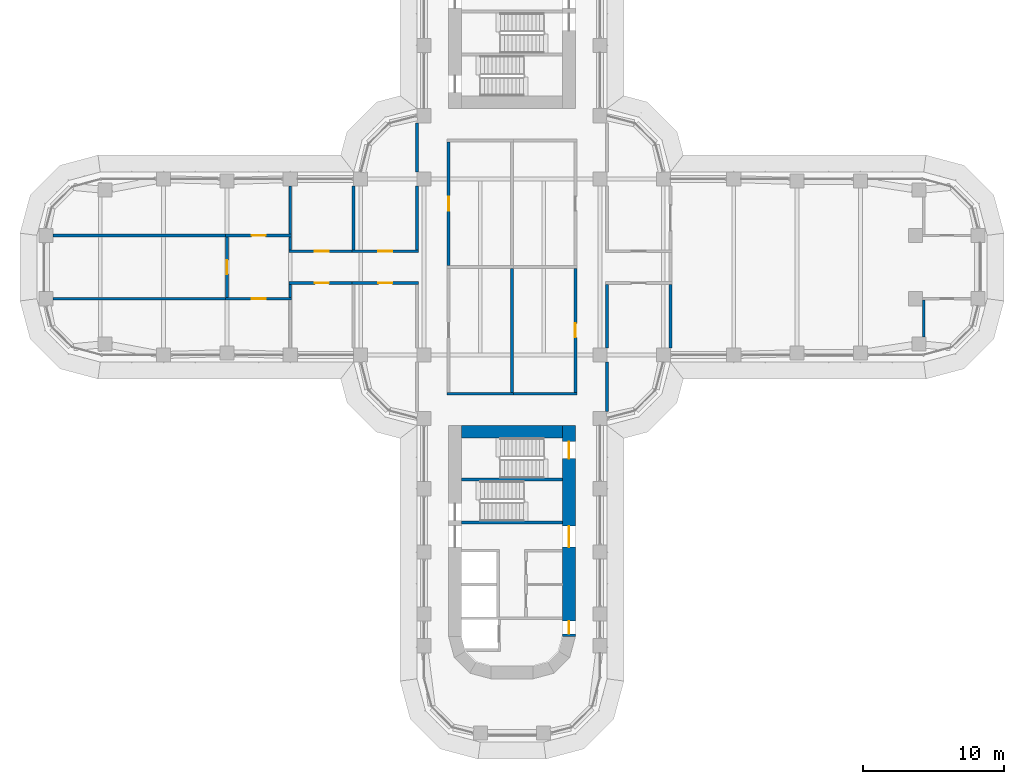
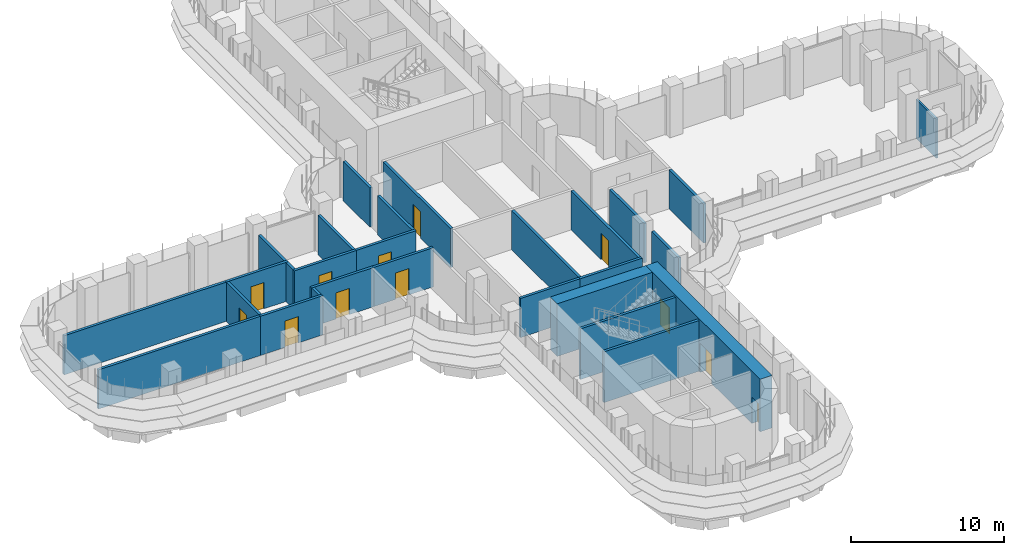
# One storey, part 17 of 23: 28 walls, 12 doors, 12 openings.
"""IFC4 building model written with IfcOpenShell, lengths in metres."""

from ifc_helpers import new_model, si_unit, direction, frame, frame_2d, origin, place, context, subcontext, project, spatial, rectangle, extrude, material, layer, layer_set, type_object, element, fill, save


model = new_model("IFC4")

# Units and contexts
model_context = context("Model", 3, precision=1e-05, world=origin(), true_north=direction((0.0, 1.0)))
body_context = subcontext(model_context, "Body", "Model", "MODEL_VIEW")
ifc_project = project(units=[si_unit("LENGTHUNIT", "METRE"), si_unit("AREAUNIT", "SQUARE_METRE"), si_unit("VOLUMEUNIT", "CUBIC_METRE"), si_unit("PLANEANGLEUNIT", "RADIAN"), si_unit("MASSUNIT", "GRAM", prefix="KILO")], contexts=[model_context])

# Site, building, storey
site_placement = place(None, origin())
site = spatial("IfcSite", under=ifc_project, at=site_placement, CompositionType="ELEMENT")
building_placement = place(site_placement, origin())
building = spatial("IfcBuilding", under=site, at=building_placement, Name="Zarbagh Exchange Tower", CompositionType="ELEMENT")
storey_placement = place(building_placement, frame((0.0, 0.0, 64.800048828125)))
storey = spatial("IfcBuildingStorey", under=building, at=storey_placement, Name="L14", CompositionType="ELEMENT", Elevation=64.800048828125)

# Wall
ifc_material_1 = material(Name="Plasterboard partition")
ifc_layer_1 = layer(ifc_material_1, 0.14990234375)
ifc_layer_set_1 = layer_set([ifc_layer_1], Name="PARTITION 150")
wall_type_1 = type_object("IfcWallType", Name="PARTITION 150", PredefinedType="PARTITIONING", material=ifc_layer_set_1)
wall_1_placement = place(storey_placement, frame((29.25, -4.97509765625, 0.0), z_axis=(0.0, 0.0, 1.0), x_axis=(0.0, 1.0, 0.0)))
element("IfcWall", 1, at=wall_1_placement, inside=storey, type_object=wall_type_1, Name="Partition W-429", PredefinedType="PARTITIONING", context=body_context, shape_type="SweptSolid", body=[
    extrude(rectangle(XDim=2.650146484375, YDim=0.14990234375, at=frame_2d((1.3251953125, 0.0))), origin(), (0.0, 0.0, 1.0), 3.13037109375),
])

# Wall, opening, door
ifc_material_2 = material(Name="Fire-rated plasterboard partition")
ifc_layer_2 = layer(ifc_material_2, 0.199951171875)
ifc_layer_set_2 = layer_set([ifc_layer_2], Name="RATED PARTITION 200")
wall_type_2 = type_object("IfcWallType", Name="RATED PARTITION 200", PredefinedType="PARTITIONING", material=ifc_layer_set_2)
wall_2_placement = place(storey_placement, frame((-4.5, 8.89990234375, 0.0), z_axis=(0.0, 0.0, 1.0), x_axis=(0.0, -1.0, 0.0)))
wall_2 = element("IfcWall", 2, at=wall_2_placement, inside=storey, type_object=wall_type_2, Name="Partition W-401", PredefinedType="PARTITIONING", context=body_context, shape_type="SweptSolid", body=[
    extrude(rectangle(XDim=8.7998046875, YDim=0.199951171875, at=frame_2d((4.39990234375, 0.0))), origin(), (0.0, 0.0, 1.0), 3.13037109375),
])
opening_1_placement = place(wall_2_placement, frame((3.89990234375, 0.0, 0.0)))
opening_1 = element("IfcOpeningElement", 3, at=opening_1_placement, cuts=wall_2, Name="Opening D-402", PredefinedType="OPENING", context=body_context, shape_type="SweptSolid", body=[
    extrude(rectangle(XDim=1.0, YDim=2.10009765625, at=frame_2d((0.5, 1.050048828125))), frame((0.0, 0.10986328125, 0.0), z_axis=(0.0, -1.0, 0.0), x_axis=(1.0, 0.0, 0.0)), (0.0, 0.0, 1.0), 0.219970703125),
])
ifc_material_3 = material(Name="Steel door set", Category="steel")
door_type_1 = type_object("IfcDoorType", Name="FIRE DOOR 1000 X 2100 FD30S", OperationType="NOTDEFINED", PredefinedType="DOOR", material=ifc_material_3)
door_1_placement = place(opening_1_placement, origin())
door_1 = element("IfcDoor", 4, at=door_1_placement, inside=storey, type_object=door_type_1, Name="Door D-402", OperationType="SINGLE_SWING_RIGHT", OverallHeight=2.10009765625, OverallWidth=1.0, PredefinedType="DOOR", context=body_context, shape_type="SweptSolid", body=[
    extrude(rectangle(XDim=1.0, YDim=2.10009765625, at=frame_2d((0.5, 1.050048828125))), frame((0.0, 0.02490234375, 0.0), z_axis=(0.0, -1.0, 0.0), x_axis=(1.0, 0.0, 0.0)), (0.0, 0.0, 1.0), 0.050048828125),
])
fill(opening_1, door_1)

# Walls
wall_3_placement = place(storey_placement, frame((-6.75, 1.22509765625, 0.0), z_axis=(0.0, 0.0, 1.0), x_axis=(0.0, 1.0, 0.0)))
element("IfcWall", 5, at=wall_3_placement, inside=storey, type_object=wall_type_2, Name="Partition W-403", PredefinedType="PARTITIONING", context=body_context, shape_type="SweptSolid", body=[
    extrude(rectangle(XDim=4.52490234375, YDim=0.199951171875, at=frame_2d((2.262451171875, 0.0))), origin(), (0.0, 0.0, 1.0), 3.13037109375),
])
wall_4_placement = place(storey_placement, frame((-6.75, 6.75, 0.0), z_axis=(0.0, 0.0, 1.0), x_axis=(0.0, 1.0, 0.0)))
element("IfcWall", 6, at=wall_4_placement, inside=storey, type_object=wall_type_2, Name="Partition W-404", PredefinedType="PARTITIONING", context=body_context, shape_type="SweptSolid", body=[
    extrude(rectangle(XDim=3.5, YDim=0.199951171875, at=frame_2d((1.75, 0.0))), origin(), (0.0, 0.0, 1.0), 3.13037109375),
])

# Wall, opening, door
wall_5_placement = place(storey_placement, frame((4.5, -8.89990234375, 0.0), z_axis=(0.0, 0.0, 1.0), x_axis=(0.0, 1.0, 0.0)))
wall_5 = element("IfcWall", 7, at=wall_5_placement, inside=storey, type_object=wall_type_2, Name="Partition W-408", PredefinedType="PARTITIONING", context=body_context, shape_type="SweptSolid", body=[
    extrude(rectangle(XDim=8.7998046875, YDim=0.199951171875, at=frame_2d((4.39990234375, 0.0))), origin(), (0.0, 0.0, 1.0), 3.13037109375),
])
opening_2_placement = place(wall_5_placement, frame((3.89990234375, 0.0, 0.0)))
opening_2 = element("IfcOpeningElement", 8, at=opening_2_placement, cuts=wall_5, Name="Opening D-403", PredefinedType="OPENING", context=body_context, shape_type="SweptSolid", body=[
    extrude(rectangle(XDim=1.0, YDim=2.10009765625, at=frame_2d((0.5, 1.050048828125))), frame((0.0, 0.10986328125, 0.0), z_axis=(0.0, -1.0, 0.0), x_axis=(1.0, 0.0, 0.0)), (0.0, 0.0, 1.0), 0.219970703125),
])
door_2_placement = place(opening_2_placement, origin())
door_2 = element("IfcDoor", 9, at=door_2_placement, inside=storey, type_object=door_type_1, Name="Door D-403", OperationType="SINGLE_SWING_RIGHT", OverallHeight=2.10009765625, OverallWidth=1.0, PredefinedType="DOOR", context=body_context, shape_type="SweptSolid", body=[
    extrude(rectangle(XDim=1.0, YDim=2.10009765625, at=frame_2d((0.5, 1.050048828125))), frame((0.0, 0.02490234375, 0.0), z_axis=(0.0, -1.0, 0.0), x_axis=(1.0, 0.0, 0.0)), (0.0, 0.0, 1.0), 0.050048828125),
])
fill(opening_2, door_2)

# Walls
wall_6_placement = place(storey_placement, frame((6.75, -10.25, 0.0), z_axis=(0.0, 0.0, 1.0), x_axis=(0.0, 1.0, 0.0)))
element("IfcWall", 10, at=wall_6_placement, inside=storey, type_object=wall_type_2, Name="Partition W-411", PredefinedType="PARTITIONING", context=body_context, shape_type="SweptSolid", body=[
    extrude(rectangle(XDim=3.5, YDim=0.199951171875, at=frame_2d((1.75, 0.0))), origin(), (0.0, 0.0, 1.0), 3.13037109375),
])
wall_7_placement = place(storey_placement, frame((6.75, -5.75, 0.0), z_axis=(0.0, 0.0, 1.0), x_axis=(0.0, 1.0, 0.0)))
element("IfcWall", 11, at=wall_7_placement, inside=storey, type_object=wall_type_2, Name="Partition W-412", PredefinedType="PARTITIONING", context=body_context, shape_type="SweptSolid", body=[
    extrude(rectangle(XDim=4.52490234375, YDim=0.199951171875, at=frame_2d((2.262451171875, 0.0))), origin(), (0.0, 0.0, 1.0), 3.13037109375),
])
for number, where, z_axis, x_axis, name in (
    (12, (-4.60009765625, -9.0, 0.0), (0.0, 0.0, 1.0), (1.0, 0.0, 0.0), "Partition W-415"),
    (13, (-0.10009765625, -9.0, 0.0), (0.0, 0.0, 1.0), (1.0, 0.0, 0.0), "Partition W-416"),
):
    element("IfcWall", number, at=place(storey_placement, frame(where, z_axis=z_axis, x_axis=x_axis)), inside=storey, type_object=wall_type_2, Name=name, PredefinedType="PARTITIONING", context=body_context, shape_type="SweptSolid", body=[
        extrude(rectangle(XDim=4.7001953125, YDim=0.199951171875, at=frame_2d((2.35009765625, 0.0))), origin(), (0.0, 0.0, 1.0), 3.13037109375),
    ])
wall_8_placement = place(storey_placement, frame((0.0, -8.89990234375, 0.0), z_axis=(0.0, 0.0, 1.0), x_axis=(0.0, 1.0, 0.0)))
element("IfcWall", 14, at=wall_8_placement, inside=storey, type_object=wall_type_2, Name="Partition W-420", PredefinedType="PARTITIONING", context=body_context, shape_type="SweptSolid", body=[
    extrude(rectangle(XDim=8.7998046875, YDim=0.199951171875, at=frame_2d((4.39990234375, 0.0))), origin(), (0.0, 0.0, 1.0), 3.13037109375),
])
wall_9_placement = place(storey_placement, frame((11.25, -5.75, 0.0), z_axis=(0.0, 0.0, 1.0), x_axis=(0.0, 1.0, 0.0)))
element("IfcWall", 15, at=wall_9_placement, inside=storey, type_object=wall_type_2, Name="Partition W-425", PredefinedType="PARTITIONING", context=body_context, shape_type="SweptSolid", body=[
    extrude(rectangle(XDim=4.52490234375, YDim=0.199951171875, at=frame_2d((2.262451171875, 0.0))), origin(), (0.0, 0.0, 1.0), 3.13037109375),
])

# Wall, opening, door
wall_10_placement = place(storey_placement, frame((-11.35009765625, 1.125, 0.0), z_axis=(0.0, 0.0, 1.0), x_axis=(1.0, 0.0, 0.0)))
wall_10 = element("IfcWall", 16, at=wall_10_placement, inside=storey, type_object=wall_type_2, Name="Partition W-430", PredefinedType="PARTITIONING", context=body_context, shape_type="SweptSolid", body=[
    extrude(rectangle(XDim=4.7001953125, YDim=0.199951171875, at=frame_2d((2.35009765625, 0.0))), origin(), (0.0, 0.0, 1.0), 3.13037109375),
])
opening_3_placement = place(wall_10_placement, frame((1.85009765625, 0.0, 0.0)))
opening_3 = element("IfcOpeningElement", 17, at=opening_3_placement, cuts=wall_10, Name="Opening D-412", PredefinedType="OPENING", context=body_context, shape_type="SweptSolid", body=[
    extrude(rectangle(XDim=1.0, YDim=2.10009765625, at=frame_2d((0.5, 1.050048828125))), frame((0.0, 0.10986328125, 0.0), z_axis=(0.0, -1.0, 0.0), x_axis=(1.0, 0.0, 0.0)), (0.0, 0.0, 1.0), 0.219970703125),
])
door_3_placement = place(opening_3_placement, origin())
door_3 = element("IfcDoor", 18, at=door_3_placement, inside=storey, type_object=door_type_1, Name="Door D-412", OperationType="SINGLE_SWING_RIGHT", OverallHeight=2.10009765625, OverallWidth=1.0, PredefinedType="DOOR", context=body_context, shape_type="SweptSolid", body=[
    extrude(rectangle(XDim=1.0, YDim=2.10009765625, at=frame_2d((0.5, 1.050048828125))), frame((0.0, 0.02490234375, 0.0), z_axis=(0.0, -1.0, 0.0), x_axis=(1.0, 0.0, 0.0)), (0.0, 0.0, 1.0), 0.050048828125),
])
fill(opening_3, door_3)

wall_11_placement = place(storey_placement, frame((-6.64990234375, -1.125, 0.0), z_axis=(0.0, 0.0, 1.0), x_axis=(-1.0, 0.0, 0.0)))
wall_11 = element("IfcWall", 19, at=wall_11_placement, inside=storey, type_object=wall_type_2, Name="Partition W-431", PredefinedType="PARTITIONING", context=body_context, shape_type="SweptSolid", body=[
    extrude(rectangle(XDim=4.7001953125, YDim=0.199951171875, at=frame_2d((2.35009765625, 0.0))), origin(), (0.0, 0.0, 1.0), 3.13037109375),
])
opening_4_placement = place(wall_11_placement, frame((1.85009765625, 0.0, 0.0)))
opening_4 = element("IfcOpeningElement", 20, at=opening_4_placement, cuts=wall_11, Name="Opening D-415", PredefinedType="OPENING", context=body_context, shape_type="SweptSolid", body=[
    extrude(rectangle(XDim=1.0, YDim=2.10009765625, at=frame_2d((0.5, 1.050048828125))), frame((0.0, 0.10986328125, 0.0), z_axis=(0.0, -1.0, 0.0), x_axis=(1.0, 0.0, 0.0)), (0.0, 0.0, 1.0), 0.219970703125),
])
door_4_placement = place(opening_4_placement, origin())
door_4 = element("IfcDoor", 21, at=door_4_placement, inside=storey, type_object=door_type_1, Name="Door D-415", OperationType="SINGLE_SWING_RIGHT", OverallHeight=2.10009765625, OverallWidth=1.0, PredefinedType="DOOR", context=body_context, shape_type="SweptSolid", body=[
    extrude(rectangle(XDim=1.0, YDim=2.10009765625, at=frame_2d((0.5, 1.050048828125))), frame((0.0, 0.02490234375, 0.0), z_axis=(0.0, -1.0, 0.0), x_axis=(1.0, 0.0, 0.0)), (0.0, 0.0, 1.0), 0.050048828125),
])
fill(opening_4, door_4)

wall_12_placement = place(storey_placement, frame((-15.85009765625, 1.125, 0.0), z_axis=(0.0, 0.0, 1.0), x_axis=(1.0, 0.0, 0.0)))
wall_12 = element("IfcWall", 22, at=wall_12_placement, inside=storey, type_object=wall_type_2, Name="Partition W-432", PredefinedType="PARTITIONING", context=body_context, shape_type="SweptSolid", body=[
    extrude(rectangle(XDim=4.7001953125, YDim=0.199951171875, at=frame_2d((2.35009765625, 0.0))), origin(), (0.0, 0.0, 1.0), 3.13037109375),
])
opening_5_placement = place(wall_12_placement, frame((1.85009765625, 0.0, 0.0)))
opening_5 = element("IfcOpeningElement", 23, at=opening_5_placement, cuts=wall_12, Name="Opening D-413", PredefinedType="OPENING", context=body_context, shape_type="SweptSolid", body=[
    extrude(rectangle(XDim=1.0, YDim=2.10009765625, at=frame_2d((0.5, 1.050048828125))), frame((0.0, 0.10986328125, 0.0), z_axis=(0.0, -1.0, 0.0), x_axis=(1.0, 0.0, 0.0)), (0.0, 0.0, 1.0), 0.219970703125),
])
door_5_placement = place(opening_5_placement, origin())
door_5 = element("IfcDoor", 24, at=door_5_placement, inside=storey, type_object=door_type_1, Name="Door D-413", OperationType="SINGLE_SWING_RIGHT", OverallHeight=2.10009765625, OverallWidth=1.0, PredefinedType="DOOR", context=body_context, shape_type="SweptSolid", body=[
    extrude(rectangle(XDim=1.0, YDim=2.10009765625, at=frame_2d((0.5, 1.050048828125))), frame((0.0, 0.02490234375, 0.0), z_axis=(0.0, -1.0, 0.0), x_axis=(1.0, 0.0, 0.0)), (0.0, 0.0, 1.0), 0.050048828125),
])
fill(opening_5, door_5)

wall_13_placement = place(storey_placement, frame((-11.14990234375, -1.125, 0.0), z_axis=(0.0, 0.0, 1.0), x_axis=(-1.0, 0.0, 0.0)))
wall_13 = element("IfcWall", 25, at=wall_13_placement, inside=storey, type_object=wall_type_2, Name="Partition W-433", PredefinedType="PARTITIONING", context=body_context, shape_type="SweptSolid", body=[
    extrude(rectangle(XDim=4.7001953125, YDim=0.199951171875, at=frame_2d((2.35009765625, 0.0))), origin(), (0.0, 0.0, 1.0), 3.13037109375),
])
opening_6_placement = place(wall_13_placement, frame((1.85009765625, 0.0, 0.0)))
opening_6 = element("IfcOpeningElement", 26, at=opening_6_placement, cuts=wall_13, Name="Opening D-416", PredefinedType="OPENING", context=body_context, shape_type="SweptSolid", body=[
    extrude(rectangle(XDim=1.0, YDim=2.10009765625, at=frame_2d((0.5, 1.050048828125))), frame((0.0, 0.10986328125, 0.0), z_axis=(0.0, -1.0, 0.0), x_axis=(1.0, 0.0, 0.0)), (0.0, 0.0, 1.0), 0.219970703125),
])
door_6_placement = place(opening_6_placement, origin())
door_6 = element("IfcDoor", 27, at=door_6_placement, inside=storey, type_object=door_type_1, Name="Door D-416", OperationType="SINGLE_SWING_RIGHT", OverallHeight=2.10009765625, OverallWidth=1.0, PredefinedType="DOOR", context=body_context, shape_type="SweptSolid", body=[
    extrude(rectangle(XDim=1.0, YDim=2.10009765625, at=frame_2d((0.5, 1.050048828125))), frame((0.0, 0.02490234375, 0.0), z_axis=(0.0, -1.0, 0.0), x_axis=(1.0, 0.0, 0.0)), (0.0, 0.0, 1.0), 0.050048828125),
])
fill(opening_6, door_6)

# Walls
wall_14_placement = place(storey_placement, frame((-11.25, 1.22509765625, 0.0), z_axis=(0.0, 0.0, 1.0), x_axis=(0.0, 1.0, 0.0)))
element("IfcWall", 28, at=wall_14_placement, inside=storey, type_object=wall_type_2, Name="Partition W-434", PredefinedType="PARTITIONING", context=body_context, shape_type="SweptSolid", body=[
    extrude(rectangle(XDim=4.52490234375, YDim=0.199951171875, at=frame_2d((2.262451171875, 0.0))), origin(), (0.0, 0.0, 1.0), 3.13037109375),
])
wall_15_placement = place(storey_placement, frame((-15.75, 1.22509765625, 0.0), z_axis=(0.0, 0.0, 1.0), x_axis=(0.0, 1.0, 0.0)))
element("IfcWall", 29, at=wall_15_placement, inside=storey, type_object=wall_type_2, Name="Partition W-436", PredefinedType="PARTITIONING", context=body_context, shape_type="SweptSolid", body=[
    extrude(rectangle(XDim=0.9248046875, YDim=0.199951171875, at=frame_2d((0.46240234375, 0.0))), origin(), (0.0, 0.0, 1.0), 3.13037109375),
])
wall_16_placement = place(storey_placement, frame((-15.75, 2.35009765625, 0.0), z_axis=(0.0, 0.0, 1.0), x_axis=(0.0, 1.0, 0.0)))
element("IfcWall", 30, at=wall_16_placement, inside=storey, type_object=wall_type_2, Name="Partition W-437", PredefinedType="PARTITIONING", context=body_context, shape_type="SweptSolid", body=[
    extrude(rectangle(XDim=3.39990234375, YDim=0.199951171875, at=frame_2d((1.699951171875, 0.0))), origin(), (0.0, 0.0, 1.0), 3.13037109375),
])
wall_17_placement = place(storey_placement, frame((-15.75, -2.14990234375, 0.0), z_axis=(0.0, 0.0, 1.0), x_axis=(0.0, 1.0, 0.0)))
element("IfcWall", 31, at=wall_17_placement, inside=storey, type_object=wall_type_2, Name="Partition W-438", PredefinedType="PARTITIONING", context=body_context, shape_type="SweptSolid", body=[
    extrude(rectangle(XDim=0.9248046875, YDim=0.199951171875, at=frame_2d((0.46240234375, 0.0))), origin(), (0.0, 0.0, 1.0), 3.13037109375),
])

# Wall, opening, door
wall_18_placement = place(storey_placement, frame((-20.35009765625, 2.25, 0.0), z_axis=(0.0, 0.0, 1.0), x_axis=(1.0, 0.0, 0.0)))
wall_18 = element("IfcWall", 32, at=wall_18_placement, inside=storey, type_object=wall_type_2, Name="Partition W-440", PredefinedType="PARTITIONING", context=body_context, shape_type="SweptSolid", body=[
    extrude(rectangle(XDim=4.7001953125, YDim=0.199951171875, at=frame_2d((2.35009765625, 0.0))), origin(), (0.0, 0.0, 1.0), 3.13037109375),
])
opening_7_placement = place(wall_18_placement, frame((1.85009765625, 0.0, 0.0)))
opening_7 = element("IfcOpeningElement", 33, at=opening_7_placement, cuts=wall_18, Name="Opening D-411", PredefinedType="OPENING", context=body_context, shape_type="SweptSolid", body=[
    extrude(rectangle(XDim=1.0, YDim=2.10009765625, at=frame_2d((0.5, 1.050048828125))), frame((0.0, 0.10986328125, 0.0), z_axis=(0.0, -1.0, 0.0), x_axis=(1.0, 0.0, 0.0)), (0.0, 0.0, 1.0), 0.219970703125),
])
door_7_placement = place(opening_7_placement, origin())
door_7 = element("IfcDoor", 34, at=door_7_placement, inside=storey, type_object=door_type_1, Name="Door D-411", OperationType="SINGLE_SWING_RIGHT", OverallHeight=2.10009765625, OverallWidth=1.0, PredefinedType="DOOR", context=body_context, shape_type="SweptSolid", body=[
    extrude(rectangle(XDim=1.0, YDim=2.10009765625, at=frame_2d((0.5, 1.050048828125))), frame((0.0, 0.02490234375, 0.0), z_axis=(0.0, -1.0, 0.0), x_axis=(1.0, 0.0, 0.0)), (0.0, 0.0, 1.0), 0.050048828125),
])
fill(opening_7, door_7)

wall_19_placement = place(storey_placement, frame((-15.64990234375, -2.25, 0.0), z_axis=(0.0, 0.0, 1.0), x_axis=(-1.0, 0.0, 0.0)))
wall_19 = element("IfcWall", 35, at=wall_19_placement, inside=storey, type_object=wall_type_2, Name="Partition W-441", PredefinedType="PARTITIONING", context=body_context, shape_type="SweptSolid", body=[
    extrude(rectangle(XDim=4.7001953125, YDim=0.199951171875, at=frame_2d((2.35009765625, 0.0))), origin(), (0.0, 0.0, 1.0), 3.13037109375),
])
opening_8_placement = place(wall_19_placement, frame((1.85009765625, 0.0, 0.0)))
opening_8 = element("IfcOpeningElement", 36, at=opening_8_placement, cuts=wall_19, Name="Opening D-414", PredefinedType="OPENING", context=body_context, shape_type="SweptSolid", body=[
    extrude(rectangle(XDim=1.0, YDim=2.10009765625, at=frame_2d((0.5, 1.050048828125))), frame((0.0, 0.10986328125, 0.0), z_axis=(0.0, -1.0, 0.0), x_axis=(1.0, 0.0, 0.0)), (0.0, 0.0, 1.0), 0.219970703125),
])
door_8_placement = place(opening_8_placement, origin())
door_8 = element("IfcDoor", 37, at=door_8_placement, inside=storey, type_object=door_type_1, Name="Door D-414", OperationType="SINGLE_SWING_LEFT", OverallHeight=2.10009765625, OverallWidth=1.0, PredefinedType="DOOR", context=body_context, shape_type="SweptSolid", body=[
    extrude(rectangle(XDim=1.0, YDim=2.10009765625, at=frame_2d((0.5, 1.050048828125))), frame((0.0, 0.02490234375, 0.0), z_axis=(0.0, -1.0, 0.0), x_axis=(1.0, 0.0, 0.0)), (0.0, 0.0, 1.0), 0.050048828125),
])
fill(opening_8, door_8)

wall_20_placement = place(storey_placement, frame((-20.25, -2.14990234375, 0.0), z_axis=(0.0, 0.0, 1.0), x_axis=(0.0, 1.0, 0.0)))
wall_20 = element("IfcWall", 38, at=wall_20_placement, inside=storey, type_object=wall_type_2, Name="Partition W-442", PredefinedType="PARTITIONING", context=body_context, shape_type="SweptSolid", body=[
    extrude(rectangle(XDim=4.2998046875, YDim=0.199951171875, at=frame_2d((2.14990234375, 0.0))), origin(), (0.0, 0.0, 1.0), 3.13037109375),
])
opening_9_placement = place(wall_20_placement, frame((1.64990234375, 0.0, 0.0)))
opening_9 = element("IfcOpeningElement", 39, at=opening_9_placement, cuts=wall_20, Name="Opening D-410", PredefinedType="OPENING", context=body_context, shape_type="SweptSolid", body=[
    extrude(rectangle(XDim=1.0, YDim=2.10009765625, at=frame_2d((0.5, 1.050048828125))), frame((0.0, 0.10986328125, 0.0), z_axis=(0.0, -1.0, 0.0), x_axis=(1.0, 0.0, 0.0)), (0.0, 0.0, 1.0), 0.219970703125),
])
door_9_placement = place(opening_9_placement, origin())
door_9 = element("IfcDoor", 40, at=door_9_placement, inside=storey, type_object=door_type_1, Name="Door D-410", OperationType="SINGLE_SWING_RIGHT", OverallHeight=2.10009765625, OverallWidth=1.0, PredefinedType="DOOR", context=body_context, shape_type="SweptSolid", body=[
    extrude(rectangle(XDim=1.0, YDim=2.10009765625, at=frame_2d((0.5, 1.050048828125))), frame((0.0, 0.02490234375, 0.0), z_axis=(0.0, -1.0, 0.0), x_axis=(1.0, 0.0, 0.0)), (0.0, 0.0, 1.0), 0.050048828125),
])
fill(opening_9, door_9)

# Walls
for number, where, z_axis, x_axis, name in (
    (41, (-32.610107421875, 2.25, 0.0), (0.0, 0.0, 1.0), (1.0, 0.0, 0.0), "Partition W-443"),
    (42, (-32.610107421875, -2.25, 0.0), (0.0, 0.0, 1.0), (1.0, 0.0, 0.0), "Partition W-444"),
):
    element("IfcWall", number, at=place(storey_placement, frame(where, z_axis=z_axis, x_axis=x_axis)), inside=storey, type_object=wall_type_2, Name=name, PredefinedType="PARTITIONING", context=body_context, shape_type="SweptSolid", body=[
        extrude(rectangle(XDim=12.460205078125, YDim=0.199951171875, at=frame_2d((6.22998046875, 0.0))), origin(), (0.0, 0.0, 1.0), 3.13037109375),
    ])

# Wall, openings, doors
ifc_material_4 = material(Name="Concrete C60/75", Category="concrete")
ifc_layer_3 = layer(ifc_material_4, 0.89990234375)
ifc_layer_set_3 = layer_set([ifc_layer_3], Name="RC core wall 900 C60/75")
wall_type_3 = type_object("IfcWallType", Name="RC core wall 900 C60/75", PredefinedType="SHEAR", material=ifc_layer_set_3)
wall_21_placement = place(storey_placement, frame((4.050048828125, -11.25, 0.0), z_axis=(0.0, 0.0, 1.0), x_axis=(0.0, -1.0, 0.0)))
wall_21 = element("IfcWall", 43, at=wall_21_placement, inside=storey, type_object=wall_type_3, Name="CW1 core S E", PredefinedType="SHEAR", context=body_context, shape_type="SweptSolid", body=[
    extrude(rectangle(XDim=15.0, YDim=0.89990234375, at=frame_2d((7.5, 0.0))), origin(), (0.0, 0.0, 1.0), 4.199951171875),
])
opening_10_placement = place(wall_21_placement, frame((7.14990234375, 0.0, 0.0)))
opening_10 = element("IfcOpeningElement", 44, at=opening_10_placement, cuts=wall_21, Name="Opening CD1-1500", PredefinedType="OPENING", context=body_context, shape_type="SweptSolid", body=[
    extrude(rectangle(XDim=1.5, YDim=2.300048828125, at=frame_2d((0.75, 1.14990234375))), frame((0.0, 0.4599609375, 0.0), z_axis=(0.0, -1.0, 0.0), x_axis=(1.0, 0.0, 0.0)), (0.0, 0.0, 1.0), 0.919921875),
])
opening_11_placement = place(wall_21_placement, frame((13.89990234375, 0.0, 0.0)))
opening_11 = element("IfcOpeningElement", 45, at=opening_11_placement, cuts=wall_21, Name="Opening CD2-900", PredefinedType="OPENING", context=body_context, shape_type="SweptSolid", body=[
    extrude(rectangle(XDim=0.89990234375, YDim=2.10009765625, at=frame_2d((0.449951171875, 1.050048828125))), frame((0.0, 0.4599609375, 0.0), z_axis=(0.0, -1.0, 0.0), x_axis=(1.0, 0.0, 0.0)), (0.0, 0.0, 1.0), 0.919921875),
])
opening_12_placement = place(wall_21_placement, frame((1.14990234375, 0.0, 0.0)))
opening_12 = element("IfcOpeningElement", 46, at=opening_12_placement, cuts=wall_21, Name="Opening SD1-1200", PredefinedType="OPENING", context=body_context, shape_type="SweptSolid", body=[
    extrude(rectangle(XDim=1.199951171875, YDim=2.10009765625, at=frame_2d((0.60009765625, 1.050048828125))), frame((0.0, 0.4599609375, 0.0), z_axis=(0.0, -1.0, 0.0), x_axis=(1.0, 0.0, 0.0)), (0.0, 0.0, 1.0), 0.919921875),
])
ifc_material_5 = material(Name="Steel", Category="steel")
door_type_2 = type_object("IfcDoorType", Name="Exit stair door 1200 x 2100", OperationType="NOTDEFINED", PredefinedType="DOOR", material=ifc_material_5)
door_10_placement = place(opening_12_placement, origin())
door_10 = element("IfcDoor", 47, at=door_10_placement, inside=storey, type_object=door_type_2, Name="South core stair door ST2", OperationType="SINGLE_SWING_RIGHT", OverallHeight=2.10009765625, OverallWidth=1.199951171875, PredefinedType="DOOR", context=body_context, shape_type="SweptSolid", body=[
    extrude(rectangle(XDim=1.199951171875, YDim=2.10009765625, at=frame_2d((0.60009765625, 1.050048828125))), frame((0.0, 0.02490234375, 0.0), z_axis=(0.0, -1.0, 0.0), x_axis=(1.0, 0.0, 0.0)), (0.0, 0.0, 1.0), 0.050048828125),
])
fill(opening_12, door_10)
door_type_3 = type_object("IfcDoorType", Name="Firefighting lobby door 900 x 2100", OperationType="NOTDEFINED", PredefinedType="DOOR", material=ifc_material_5)
door_11_placement = place(opening_11_placement, origin())
door_11 = element("IfcDoor", 48, at=door_11_placement, inside=storey, type_object=door_type_3, Name="South core firefighting lobby door FF-W", OperationType="SINGLE_SWING_LEFT", OverallHeight=2.10009765625, OverallWidth=0.89990234375, PredefinedType="DOOR", context=body_context, shape_type="SweptSolid", body=[
    extrude(rectangle(XDim=0.89990234375, YDim=2.10009765625, at=frame_2d((0.449951171875, 1.050048828125))), frame((0.0, 0.02490234375, 0.0), z_axis=(0.0, -1.0, 0.0), x_axis=(1.0, 0.0, 0.0)), (0.0, 0.0, 1.0), 0.050048828125),
])
fill(opening_11, door_11)
door_type_4 = type_object("IfcDoorType", Name="Lift lobby double door 1500 x 2300", OperationType="NOTDEFINED", PredefinedType="DOOR", material=ifc_material_5)
door_12_placement = place(opening_10_placement, origin())
door_12 = element("IfcDoor", 49, at=door_12_placement, inside=storey, type_object=door_type_4, Name="South core lift lobby door LOBBY-W", OperationType="DOUBLE_DOOR_SINGLE_SWING", OverallHeight=2.300048828125, OverallWidth=1.5, PredefinedType="DOOR", context=body_context, shape_type="SweptSolid", body=[
    extrude(rectangle(XDim=1.5, YDim=2.300048828125, at=frame_2d((0.75, 1.14990234375))), frame((0.0, 0.02490234375, 0.0), z_axis=(0.0, -1.0, 0.0), x_axis=(1.0, 0.0, 0.0)), (0.0, 0.0, 1.0), 0.050048828125),
])
fill(opening_10, door_12)

# Walls
wall_22_placement = place(storey_placement, frame((-3.60009765625, -11.699951171875, 0.0), z_axis=(0.0, 0.0, 1.0), x_axis=(1.0, 0.0, 0.0)))
element("IfcWall", 50, at=wall_22_placement, inside=storey, type_object=wall_type_3, Name="CW1 core S inner end", PredefinedType="SHEAR", context=body_context, shape_type="SweptSolid", body=[
    extrude(rectangle(XDim=7.2001953125, YDim=0.89990234375, at=frame_2d((3.60009765625, 0.0))), origin(), (0.0, 0.0, 1.0), 4.199951171875),
])
ifc_material_6 = material(Name="Concrete C40/50", Category="concrete")
ifc_layer_4 = layer(ifc_material_6, 0.199951171875)
ifc_layer_set_4 = layer_set([ifc_layer_4], Name="Stair enclosure wall 200 mm RC C40/50")
wall_type_4 = type_object("IfcWallType", Name="Stair enclosure wall 200 mm RC C40/50", PredefinedType="SHEAR", material=ifc_layer_set_4)
for number, where, z_axis, x_axis, name in (
    (51, (3.60009765625, -18.14990234375, 0.0), (0.0, 0.0, 1.0), (-1.0, 0.0, 0.0), "South core stair wall BS"),
    (52, (3.60009765625, -15.10009765625, 0.0), (0.0, 0.0, 1.0), (-1.0, 0.0, 0.0), "South core stair wall ST12"),
):
    element("IfcWall", number, at=place(storey_placement, frame(where, z_axis=z_axis, x_axis=x_axis)), inside=storey, type_object=wall_type_4, Name=name, PredefinedType="SHEAR", context=body_context, shape_type="SweptSolid", body=[
        extrude(rectangle(XDim=7.2001953125, YDim=0.199951171875, at=frame_2d((3.60009765625, 0.0))), origin(), (0.0, 0.0, 1.0), 4.050048828125),
    ])

save(model, "model.ifc")
